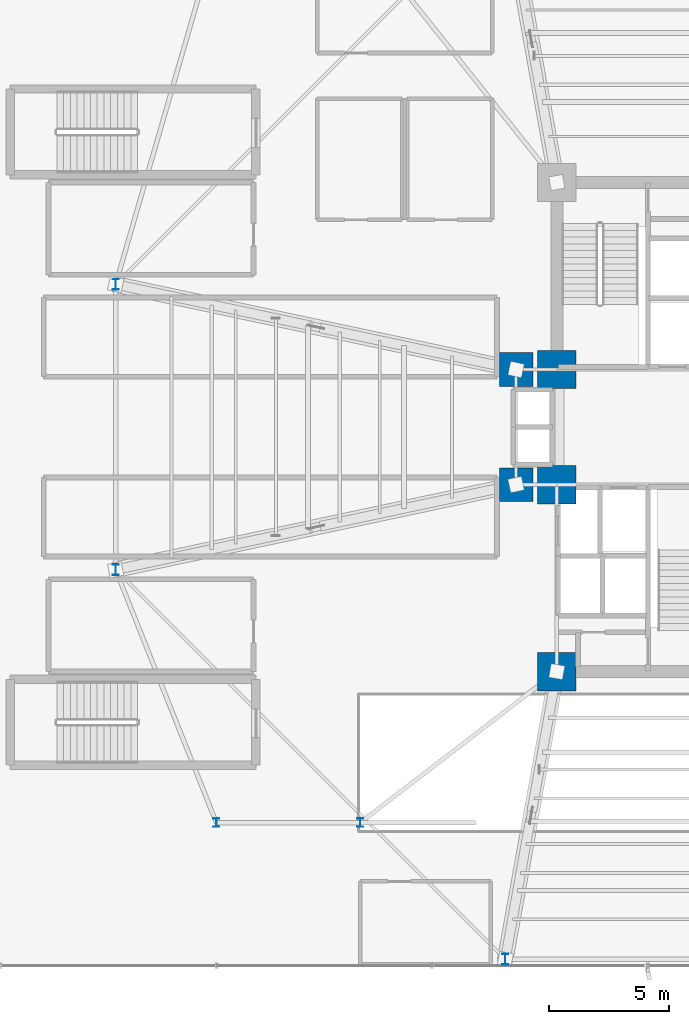
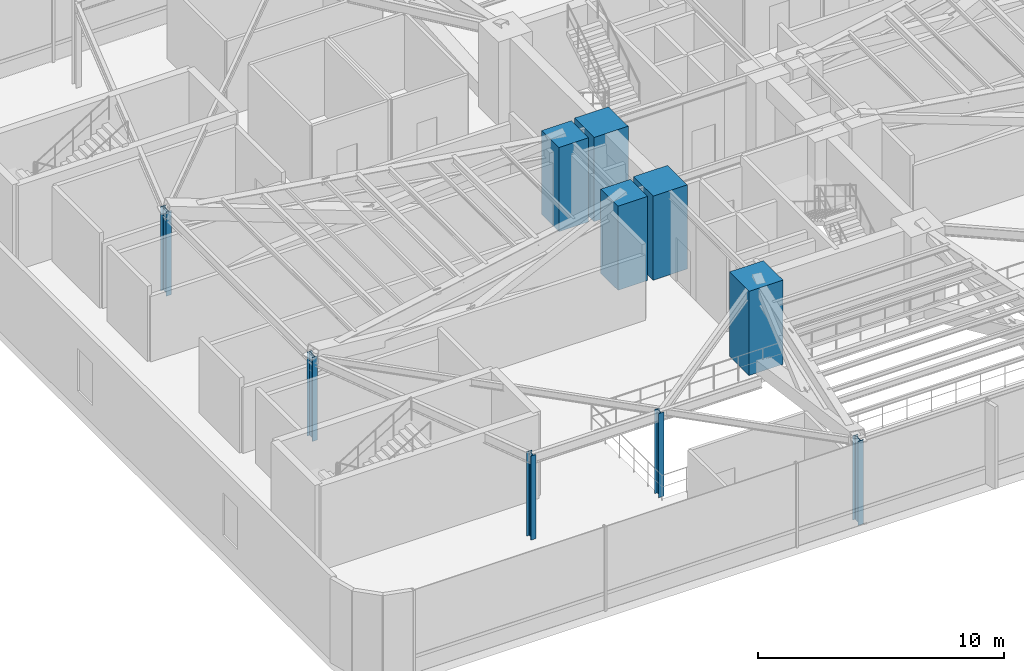
# One storey, part 1 of 32: 10 columns.
"""IFC4 building model written with IfcOpenShell, lengths in metres."""

from ifc_helpers import new_model, si_unit, direction, frame, origin, origin_2d, place, context, subcontext, project, spatial, rectangle, i_section, extrude, source, transform, mapped, material, material_profile, profile_set, type_object, element, save


model = new_model("IFC4")

# Units and contexts
model_context = context("Model", 3, precision=1e-05, world=origin(), true_north=direction((0.0, 1.0)))
body_context = subcontext(model_context, "Body", "Model", "MODEL_VIEW")
ifc_project = project(units=[si_unit("LENGTHUNIT", "METRE"), si_unit("AREAUNIT", "SQUARE_METRE"), si_unit("VOLUMEUNIT", "CUBIC_METRE"), si_unit("PLANEANGLEUNIT", "RADIAN"), si_unit("MASSUNIT", "GRAM", prefix="KILO")], contexts=[model_context])

# Site, building, storey
site_placement = place(None, origin())
site = spatial("IfcSite", under=ifc_project, at=site_placement, CompositionType="ELEMENT")
building_placement = place(site_placement, origin())
building = spatial("IfcBuilding", under=site, at=building_placement, Name="Sahyath Konkavel Grand Hotel", CompositionType="ELEMENT")
storey_placement = place(building_placement, frame((0.0, 0.0, 14.10009765625)))
storey = spatial("IfcBuildingStorey", under=building, at=storey_placement, Name="L03", CompositionType="ELEMENT", Elevation=14.10009765625)

# Columns
ifc_material_1 = material(Name="Concrete C70/85", Category="concrete")
ifc_material_profile_1 = material_profile(ifc_material_1, rectangle(XDim=1.60009765625, YDim=1.60009765625, at=origin_2d()), Name="RC 1600x1600")
ifc_profile_set_1 = profile_set([ifc_material_profile_1], Name="Concrete C70/85")
column_type_1 = type_object("IfcColumnType", Name="COL-RC1600", PredefinedType="COLUMN", material=ifc_profile_set_1)
shared_shape_1 = source(origin(), body_context, "Body", "SweptSolid", [
    extrude(rectangle(XDim=1.60009765625, YDim=1.60009765625, at=origin_2d()), origin(), (0.0, 0.0, 1.0), 4.179931640625),
])
for number, where, z_axis, x_axis, name in (
    (1, (-3.800048828125, 2.39990234375, 0.0), (0.0, 0.0, 1.0), (1.0, 0.0, 0.0), "L03 Core Boundary Column NC-SW"),
    (2, (-3.800048828125, -2.39990234375, 0.0), (0.0, 0.0, 1.0), (1.0, 0.0, 0.0), "L03 Core Boundary Column SC-NW"),
    (3, (-3.800048828125, -10.199951171875, 0.0), (0.0, 0.0, 1.0), (1.0, 0.0, 0.0), "L03 Core Boundary Column SC-SW"),
):
    element("IfcColumn", number, at=place(storey_placement, frame(where, z_axis=z_axis, x_axis=x_axis)), inside=storey, type_object=column_type_1, Name=name, PredefinedType="COLUMN", context=body_context, shape_type="MappedRepresentation", body=[
        mapped(shared_shape_1, transform((0.0, 0.0, 0.0), scale=1.0)),
    ])
ifc_material_profile_2 = material_profile(ifc_material_1, rectangle(XDim=1.39990234375, YDim=1.39990234375, at=origin_2d()), Name="RC 1400x1400")
ifc_profile_set_2 = profile_set([ifc_material_profile_2], Name="Concrete C70/85")
column_type_2 = type_object("IfcColumnType", Name="COL-RC1400", PredefinedType="COLUMN", material=ifc_profile_set_2)
shared_shape_2 = source(origin(), body_context, "Body", "SweptSolid", [
    extrude(rectangle(XDim=1.39990234375, YDim=1.39990234375, at=origin_2d()), origin(), (0.0, 0.0, 1.0), 4.179931640625),
])
for number, where, z_axis, x_axis, name in (
    (4, (-5.5, 2.39990234375, 0.0), (0.0, 0.0, 1.0), (1.0, 0.0, 0.0), "L03 Central Spine Column HB-NW"),
    (5, (-5.5, -2.39990234375, 0.0), (0.0, 0.0, 1.0), (1.0, 0.0, 0.0), "L03 Central Spine Column HB-SW"),
):
    element("IfcColumn", number, at=place(storey_placement, frame(where, z_axis=z_axis, x_axis=x_axis)), inside=storey, type_object=column_type_2, Name=name, PredefinedType="COLUMN", context=body_context, shape_type="MappedRepresentation", body=[
        mapped(shared_shape_2, transform((0.0, 0.0, 0.0), scale=1.0)),
    ])
ifc_material_2 = material(Name="Steel E450", Category="steel")
ifc_material_profile_3 = material_profile(ifc_material_2, i_section(OverallWidth=0.25, OverallDepth=0.449951171875, WebThickness=0.013671875, FlangeThickness=0.013671875, FilletRadius=0.014892578125, at=origin_2d()), Name="ISHB 450")
ifc_profile_set_3 = profile_set([ifc_material_profile_3], Name="Steel E450")
column_type_3 = type_object("IfcColumnType", Name="COL-ISHB450", PredefinedType="COLUMN", material=ifc_profile_set_3)
shared_shape_3 = source(origin(), body_context, "Body", "SweptSolid", [
    extrude(i_section(OverallWidth=0.25, OverallDepth=0.449951171875, WebThickness=0.013671875, FlangeThickness=0.013671875, FilletRadius=0.014892578125, at=origin_2d()), origin(), (0.0, 0.0, 1.0), 4.179931640625),
])
for number, where, z_axis, x_axis, name in (
    (6, (-22.199951171875, 5.949951171875, 0.0), (0.0, 0.0, 1.0), (1.0, 0.0, 0.0), "L03 Cruciform Wing Column WC-WA"),
    (7, (-22.199951171875, -5.949951171875, 0.0), (0.0, 0.0, 1.0), (1.0, 0.0, 0.0), "L03 Cruciform Wing Column WC-WB"),
    (8, (-5.949951171875, -22.199951171875, 0.0), (0.0, 0.0, 1.0), (1.0, 0.0, 0.0), "L03 Cruciform Wing Column WC-SA"),
):
    element("IfcColumn", number, at=place(storey_placement, frame(where, z_axis=z_axis, x_axis=x_axis)), inside=storey, type_object=column_type_3, Name=name, PredefinedType="COLUMN", context=body_context, shape_type="MappedRepresentation", body=[
        mapped(shared_shape_3, transform((0.0, 0.0, 0.0), scale=1.0)),
    ])
ifc_material_3 = material(Name="Steel E350", Category="steel")
ifc_material_profile_4 = material_profile(ifc_material_3, i_section(OverallWidth=0.25, OverallDepth=0.35009765625, WebThickness=0.01171875, FlangeThickness=0.01171875, FilletRadius=0.011962890625, at=origin_2d()), Name="ISHB 350")
ifc_profile_set_4 = profile_set([ifc_material_profile_4], Name="Steel E350")
column_type_4 = type_object("IfcColumnType", Name="COL-ISHB350", PredefinedType="COLUMN", material=ifc_profile_set_4)
shared_shape_4 = source(origin(), body_context, "Body", "SweptSolid", [
    extrude(i_section(OverallWidth=0.25, OverallDepth=0.35009765625, WebThickness=0.01171875, FlangeThickness=0.01171875, FilletRadius=0.011962890625, at=origin_2d()), origin(), (0.0, 0.0, 1.0), 4.179931640625),
])
for number, where, z_axis, x_axis, name in (
    (9, (-18.0, -16.5, 0.0), (0.0, 0.0, 1.0), (1.0, 0.0, 0.0), "L03 Sandstone Colonnade Pier CL-S1"),
    (10, (-12.0, -16.5, 0.0), (0.0, 0.0, 1.0), (1.0, 0.0, 0.0), "L03 Sandstone Colonnade Pier CL-S2"),
):
    element("IfcColumn", number, at=place(storey_placement, frame(where, z_axis=z_axis, x_axis=x_axis)), inside=storey, type_object=column_type_4, Name=name, PredefinedType="COLUMN", context=body_context, shape_type="MappedRepresentation", body=[
        mapped(shared_shape_4, transform((0.0, 0.0, 0.0), scale=1.0)),
    ])

save(model, "model.ifc")
